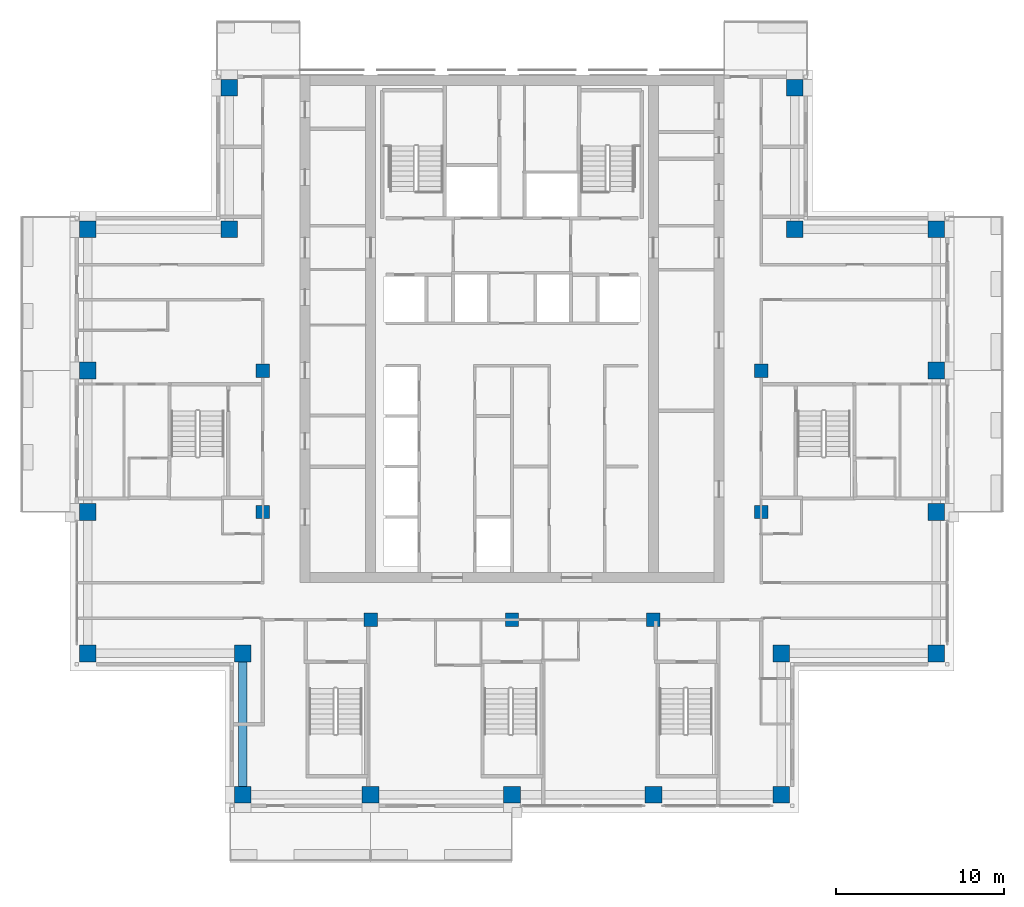
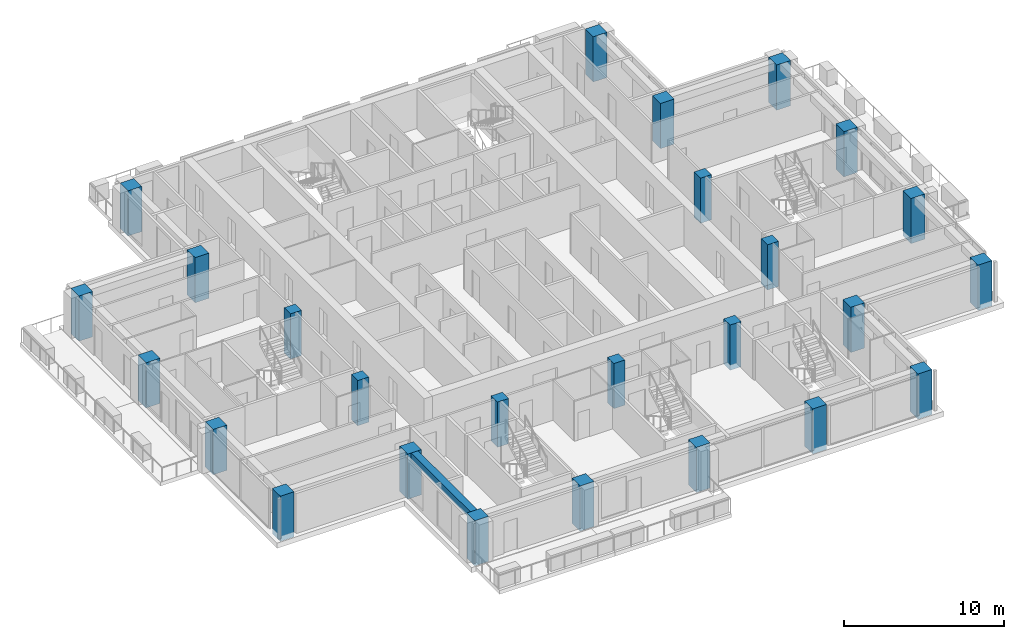
# One storey, part 1 of 17: 26 columns, 1 beam.
"""IFC4 building model written with IfcOpenShell, lengths in metres."""

from ifc_helpers import new_model, si_unit, direction, frame, origin, origin_2d, place, context, subcontext, project, spatial, rectangle, extrude, material, material_profile, profile_set, type_object, element, save


model = new_model("IFC4")

# Units and contexts
model_context = context("Model", 3, precision=1e-05, world=origin(), true_north=direction((0.0, 1.0)))
body_context = subcontext(model_context, "Body", "Model", "MODEL_VIEW")
ifc_project = project(units=[si_unit("LENGTHUNIT", "METRE"), si_unit("AREAUNIT", "SQUARE_METRE"), si_unit("VOLUMEUNIT", "CUBIC_METRE"), si_unit("PLANEANGLEUNIT", "RADIAN"), si_unit("MASSUNIT", "GRAM", prefix="KILO")], contexts=[model_context])

# Site, building, storey
site_placement = place(None, origin())
site = spatial("IfcSite", under=ifc_project, at=site_placement, CompositionType="ELEMENT")
building_placement = place(site_placement, origin())
building = spatial("IfcBuilding", under=site, at=building_placement, Name="Vermilion Ogive Tower", CompositionType="ELEMENT")
storey_placement = place(building_placement, frame((0.0, 0.0, 196.25)))
storey = spatial("IfcBuildingStorey", under=building, at=storey_placement, Name="L51", CompositionType="ELEMENT", Elevation=196.25)

# Columns
ifc_material_1 = material(Name="Concrete B60", Category="concrete")
ifc_material_profile_1 = material_profile(ifc_material_1, rectangle(XDim=1.0, YDim=1.0, at=origin_2d()), Name="1000 x 1000")
ifc_profile_set_1 = profile_set([ifc_material_profile_1], Name="Concrete B60")
column_type_1 = type_object("IfcColumnType", Name="Perimeter column 1000 x 1000 B60", PredefinedType="COLUMN", material=ifc_profile_set_1)
for number, where, z_axis, x_axis, name in (
    (1, (-16.0, -21.0, -0.39990234375), (0.0, 0.0, 1.0), (1.0, 0.0, 0.0), "COL-L51-P-0160-210"),
    (2, (-8.39990234375, -21.0, -0.39990234375), (0.0, 0.0, 1.0), (1.0, 0.0, 0.0), "COL-L51-P-0084-210"),
    (3, (0.0, -21.0, -0.39990234375), (0.0, 0.0, 1.0), (1.0, 0.0, 0.0), "COL-L51-P+0000-210"),
    (4, (8.39990234375, -21.0, -0.39990234375), (0.0, 0.0, 1.0), (1.0, 0.0, 0.0), "COL-L51-P+0084-210"),
    (5, (16.0, -21.0, -0.39990234375), (0.0, 0.0, 1.0), (1.0, 0.0, 0.0), "COL-L51-P+0160-210"),
    (6, (-25.199951171875, -12.60009765625, -0.39990234375), (0.0, 0.0, 1.0), (1.0, 0.0, 0.0), "COL-L51-P-0252-126"),
    (7, (-16.0, -12.60009765625, -0.39990234375), (0.0, 0.0, 1.0), (1.0, 0.0, 0.0), "COL-L51-P-0160-126"),
    (8, (16.0, -12.60009765625, -0.39990234375), (0.0, 0.0, 1.0), (1.0, 0.0, 0.0), "COL-L51-P+0160-126"),
    (9, (25.199951171875, -12.60009765625, -0.39990234375), (0.0, 0.0, 1.0), (1.0, 0.0, 0.0), "COL-L51-P+0252-126"),
    (10, (-25.199951171875, -4.199951171875, -0.39990234375), (0.0, 0.0, 1.0), (1.0, 0.0, 0.0), "COL-L51-P-0252-042"),
    (11, (25.199951171875, -4.199951171875, -0.39990234375), (0.0, 0.0, 1.0), (1.0, 0.0, 0.0), "COL-L51-P+0252-042"),
    (12, (-25.199951171875, 4.199951171875, -0.39990234375), (0.0, 0.0, 1.0), (1.0, 0.0, 0.0), "COL-L51-P-0252+042"),
    (13, (25.199951171875, 4.199951171875, -0.39990234375), (0.0, 0.0, 1.0), (1.0, 0.0, 0.0), "COL-L51-P+0252+042"),
    (14, (-25.199951171875, 12.60009765625, -0.39990234375), (0.0, 0.0, 1.0), (1.0, 0.0, 0.0), "COL-L51-P-0252+126"),
    (15, (-16.800048828125, 12.60009765625, -0.39990234375), (0.0, 0.0, 1.0), (1.0, 0.0, 0.0), "COL-L51-P-0168+126"),
    (16, (16.800048828125, 12.60009765625, -0.39990234375), (0.0, 0.0, 1.0), (1.0, 0.0, 0.0), "COL-L51-P+0168+126"),
    (17, (25.199951171875, 12.60009765625, -0.39990234375), (0.0, 0.0, 1.0), (1.0, 0.0, 0.0), "COL-L51-P+0252+126"),
    (18, (-16.800048828125, 21.0, -0.39990234375), (0.0, 0.0, 1.0), (1.0, 0.0, 0.0), "COL-L51-P-0168+210"),
    (19, (16.800048828125, 21.0, -0.39990234375), (0.0, 0.0, 1.0), (1.0, 0.0, 0.0), "COL-L51-P+0168+210"),
):
    element("IfcColumn", number, at=place(storey_placement, frame(where, z_axis=z_axis, x_axis=x_axis)), inside=storey, type_object=column_type_1, Name=name, PredefinedType="COLUMN", context=body_context, shape_type="SweptSolid", body=[
        extrude(rectangle(XDim=1.0, YDim=1.0, at=origin_2d()), origin(), (0.0, 0.0, 1.0), 3.449951171875),
    ])
ifc_material_2 = material(Name="Concrete B60", Category="concrete")
ifc_material_profile_2 = material_profile(ifc_material_2, rectangle(XDim=0.800048828125, YDim=0.800048828125, at=origin_2d()), Name="800 x 800")
ifc_profile_set_2 = profile_set([ifc_material_profile_2], Name="Concrete B60")
column_type_2 = type_object("IfcColumnType", Name="Ring column 800 x 800 B60", PredefinedType="COLUMN", material=ifc_profile_set_2)
for number, where, z_axis, x_axis, name in (
    (20, (-8.39990234375, -10.60009765625, -0.39990234375), (0.0, 0.0, 1.0), (1.0, 0.0, 0.0), "COL-L51-R-0084-106"),
    (21, (0.0, -10.60009765625, -0.39990234375), (0.0, 0.0, 1.0), (1.0, 0.0, 0.0), "COL-L51-R+0000-106"),
    (22, (8.39990234375, -10.60009765625, -0.39990234375), (0.0, 0.0, 1.0), (1.0, 0.0, 0.0), "COL-L51-R+0084-106"),
    (23, (-14.800048828125, -4.199951171875, -0.39990234375), (0.0, 0.0, 1.0), (1.0, 0.0, 0.0), "COL-L51-R-0148-042"),
    (24, (14.800048828125, -4.199951171875, -0.39990234375), (0.0, 0.0, 1.0), (1.0, 0.0, 0.0), "COL-L51-R+0148-042"),
    (25, (-14.800048828125, 4.199951171875, -0.39990234375), (0.0, 0.0, 1.0), (1.0, 0.0, 0.0), "COL-L51-R-0148+042"),
    (26, (14.800048828125, 4.199951171875, -0.39990234375), (0.0, 0.0, 1.0), (1.0, 0.0, 0.0), "COL-L51-R+0148+042"),
):
    element("IfcColumn", number, at=place(storey_placement, frame(where, z_axis=z_axis, x_axis=x_axis)), inside=storey, type_object=column_type_2, Name=name, PredefinedType="COLUMN", context=body_context, shape_type="SweptSolid", body=[
        extrude(rectangle(XDim=0.800048828125, YDim=0.800048828125, at=origin_2d()), origin(), (0.0, 0.0, 1.0), 3.449951171875),
    ])

# Beam
ifc_material_3 = material(Name="Concrete B45", Category="concrete")
ifc_material_profile_3 = material_profile(ifc_material_3, rectangle(XDim=0.5, YDim=0.550048828125, at=origin_2d()), Name="500 x 550")
ifc_profile_set_3 = profile_set([ifc_material_profile_3], Name="Concrete B45")
beam_type = type_object("IfcBeamType", Name="Edge beam 500 x 550 B45", PredefinedType="BEAM", material=ifc_profile_set_3)
beam_placement = place(storey_placement, frame((-16.0, -13.10009765625, 2.77490234375), z_axis=(0.0, -1.0, 0.0), x_axis=(1.0, 0.0, 0.0)))
element("IfcBeam", 27, at=beam_placement, inside=storey, type_object=beam_type, Name="L51-EB-18", PredefinedType="BEAM", context=body_context, shape_type="SweptSolid", body=[
    extrude(rectangle(XDim=0.5, YDim=0.550048828125, at=origin_2d()), origin(), (0.0, 0.0, 1.0), 7.39990234375),
])

save(model, "model.ifc")
